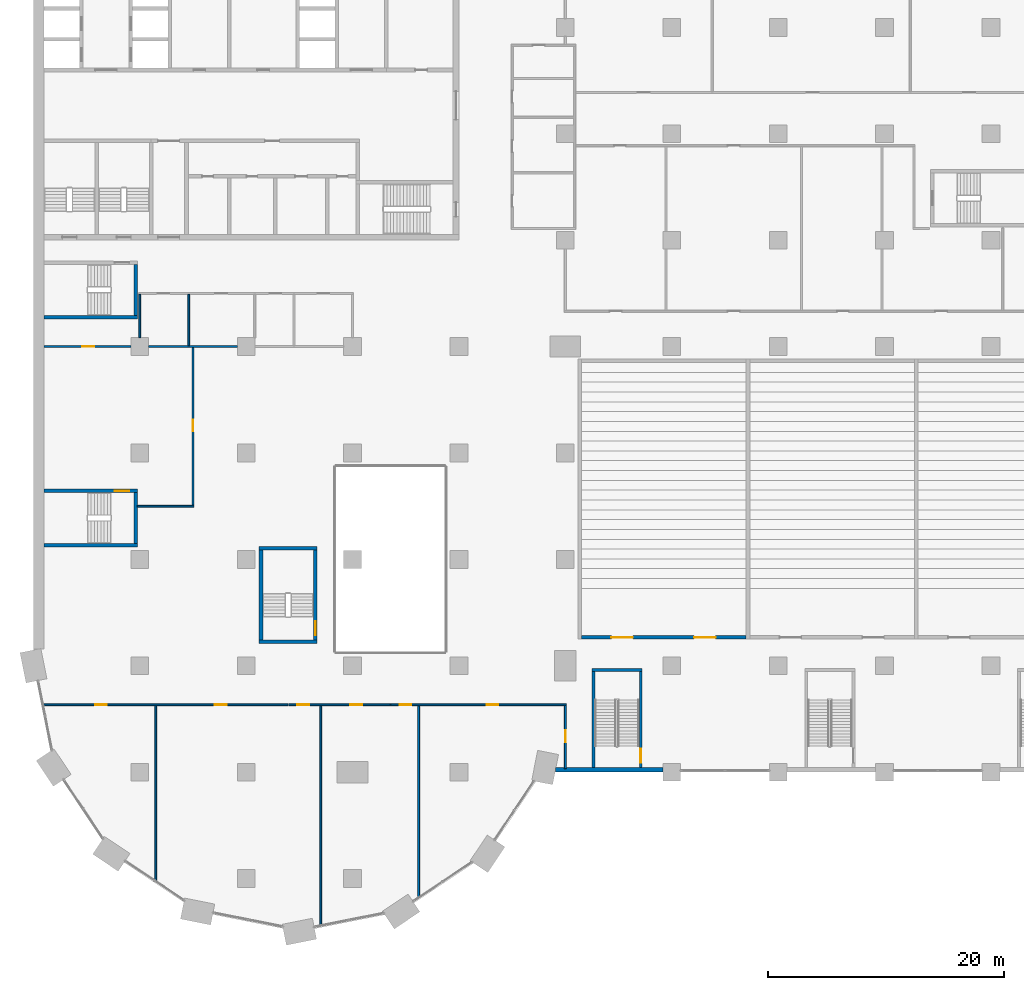
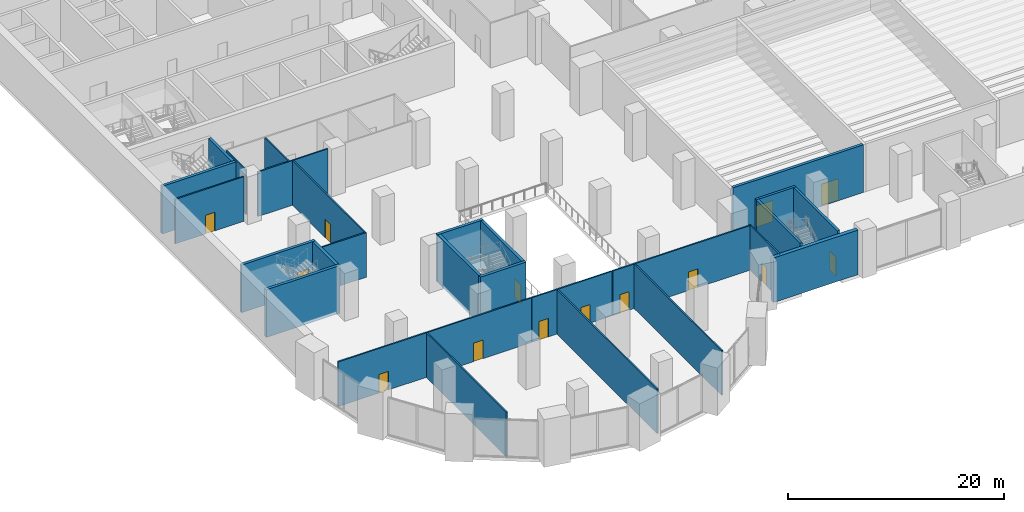
# One storey, part 15 of 44: 27 walls, 14 doors, 14 openings.
"""IFC4 building model written with IfcOpenShell, lengths in metres."""

from ifc_helpers import new_model, si_unit, direction, frame, frame_2d, origin, place, context, subcontext, project, spatial, rectangle, extrude, material, layer, layer_set, type_object, element, fill, save


model = new_model("IFC4")

# Units and contexts
model_context = context("Model", 3, precision=1e-05, world=origin(), true_north=direction((0.0, 1.0)))
body_context = subcontext(model_context, "Body", "Model", "MODEL_VIEW")
ifc_project = project(units=[si_unit("LENGTHUNIT", "METRE"), si_unit("AREAUNIT", "SQUARE_METRE"), si_unit("VOLUMEUNIT", "CUBIC_METRE"), si_unit("PLANEANGLEUNIT", "RADIAN"), si_unit("MASSUNIT", "GRAM", prefix="KILO")], contexts=[model_context])

# Site, building, storey
site_placement = place(None, origin())
site = spatial("IfcSite", under=ifc_project, at=site_placement, CompositionType="ELEMENT")
building_placement = place(site_placement, origin())
building = spatial("IfcBuilding", under=site, at=building_placement, Name="Hunhe Ridgeline Campus", CompositionType="ELEMENT")
storey_placement = place(building_placement, frame((0.0, 0.0, 6.0)))
storey = spatial("IfcBuildingStorey", under=building, at=storey_placement, Name="L01", CompositionType="ELEMENT", Elevation=6.0)

# Wall
ifc_material_1 = material(Name="Plastered blockwork", Category="masonry")
ifc_layer_1 = layer(ifc_material_1, 0.14990234375)
ifc_layer_set_1 = layer_set([ifc_layer_1], Name="Blockwork partition 150")
wall_type_1 = type_object("IfcWallType", Name="Blockwork partition 150", PredefinedType="PARTITIONING", material=ifc_layer_set_1)
wall_1_placement = place(storey_placement, frame((10.344970703125, 8.822021484375, 0.0), z_axis=(0.0, 0.0, 1.0), x_axis=(0.0, 1.0, 0.0)))
element("IfcWall", 1, at=wall_1_placement, inside=storey, type_object=wall_type_1, Name="L01 partition", PredefinedType="PARTITIONING", context=body_context, shape_type="SweptSolid", body=[
    extrude(rectangle(XDim=14.802978515625, YDim=0.14990234375, at=frame_2d((7.4013671875, 0.0))), origin(), (0.0, 0.0, 1.0), 5.050048828125),
])

# Wall, openings, doors
wall_2_placement = place(storey_placement, frame((0.842041015625, 23.699951171875, 0.0), z_axis=(0.0, 0.0, 1.0), x_axis=(1.0, 0.0, 0.0)))
wall_2 = element("IfcWall", 2, at=wall_2_placement, inside=storey, type_object=wall_type_1, Name="L01 partition", PredefinedType="PARTITIONING", context=body_context, shape_type="SweptSolid", body=[
    extrude(rectangle(XDim=20.677978515625, YDim=0.14990234375, at=frame_2d((10.3388671875, 0.0))), origin(), (0.0, 0.0, 1.0), 5.050048828125),
])
opening_1_placement = place(wall_2_placement, frame((4.3701171875, 0.0, 0.0)))
opening_1 = element("IfcOpeningElement", 3, at=opening_1_placement, cuts=wall_2, Name="Opening PD210", PredefinedType="OPENING", context=body_context, shape_type="SweptSolid", body=[
    extrude(rectangle(XDim=1.0, YDim=2.10009765625, at=frame_2d((0.5, 1.050048828125))), frame((0.0, 0.074951171875, 0.0), z_axis=(0.0, -1.0, 0.0), x_axis=(1.0, 0.0, 0.0)), (0.0, 0.0, 1.0), 0.14990234375),
])
opening_2_placement = place(wall_2_placement, frame((14.5029296875, 0.0, 0.0)))
opening_2 = element("IfcOpeningElement", 4, at=opening_2_placement, cuts=wall_2, Name="Opening PD211", PredefinedType="OPENING", context=body_context, shape_type="SweptSolid", body=[
    extrude(rectangle(XDim=1.0, YDim=2.10009765625, at=frame_2d((0.5, 1.050048828125))), frame((0.0, 0.074951171875, 0.0), z_axis=(0.0, -1.0, 0.0), x_axis=(1.0, 0.0, 0.0)), (0.0, 0.0, 1.0), 0.14990234375),
])
ifc_material_2 = material(Name="Timber", Category="wood")
door_type_1 = type_object("IfcDoorType", Name="Podium timber door 1000x2100", OperationType="NOTDEFINED", PredefinedType="DOOR", material=ifc_material_2)
door_1_placement = place(opening_1_placement, origin())
door_1 = element("IfcDoor", 5, at=door_1_placement, inside=storey, type_object=door_type_1, Name="Seminar Room 1.01 door", OperationType="SINGLE_SWING_LEFT", OverallHeight=2.10009765625, OverallWidth=1.0, PredefinedType="DOOR", context=body_context, shape_type="SweptSolid", body=[
    extrude(rectangle(XDim=1.0, YDim=2.10009765625, at=frame_2d((0.5, 1.050048828125))), frame((0.0, 0.02490234375, 0.0), z_axis=(0.0, -1.0, 0.0), x_axis=(1.0, 0.0, 0.0)), (0.0, 0.0, 1.0), 0.050048828125),
])
fill(opening_1, door_1)
door_2_placement = place(opening_2_placement, origin())
door_2 = element("IfcDoor", 6, at=door_2_placement, inside=storey, type_object=door_type_1, Name="Seminar Room 1.02 door", OperationType="SINGLE_SWING_RIGHT", OverallHeight=2.10009765625, OverallWidth=1.0, PredefinedType="DOOR", context=body_context, shape_type="SweptSolid", body=[
    extrude(rectangle(XDim=1.0, YDim=2.10009765625, at=frame_2d((0.5, 1.050048828125))), frame((0.0, 0.02490234375, 0.0), z_axis=(0.0, -1.0, 0.0), x_axis=(1.0, 0.0, 0.0)), (0.0, 0.0, 1.0), 0.050048828125),
])
fill(opening_2, door_2)

wall_3_placement = place(storey_placement, frame((21.580078125, 23.699951171875, 0.0), z_axis=(0.0, 0.0, 1.0), x_axis=(1.0, 0.0, 0.0)))
wall_3 = element("IfcWall", 7, at=wall_3_placement, inside=storey, type_object=wall_type_1, Name="L01 partition", PredefinedType="PARTITIONING", context=body_context, shape_type="SweptSolid", body=[
    extrude(rectangle(XDim=8.58984375, YDim=0.14990234375, at=frame_2d((4.294921875, 0.0))), origin(), (0.0, 0.0, 1.0), 5.050048828125),
])
opening_3_placement = place(wall_3_placement, frame((0.75, 0.0, 0.0)))
opening_3 = element("IfcOpeningElement", 8, at=opening_3_placement, cuts=wall_3, Name="Opening PD212", PredefinedType="OPENING", context=body_context, shape_type="SweptSolid", body=[
    extrude(rectangle(XDim=1.0, YDim=2.10009765625, at=frame_2d((0.5, 1.050048828125))), frame((0.0, 0.074951171875, 0.0), z_axis=(0.0, -1.0, 0.0), x_axis=(1.0, 0.0, 0.0)), (0.0, 0.0, 1.0), 0.14990234375),
])
opening_4_placement = place(wall_3_placement, frame((5.22998046875, 0.0, 0.0)))
opening_4 = element("IfcOpeningElement", 9, at=opening_4_placement, cuts=wall_3, Name="Opening PD213", PredefinedType="OPENING", context=body_context, shape_type="SweptSolid", body=[
    extrude(rectangle(XDim=1.0, YDim=2.10009765625, at=frame_2d((0.5, 1.050048828125))), frame((0.0, 0.074951171875, 0.0), z_axis=(0.0, -1.0, 0.0), x_axis=(1.0, 0.0, 0.0)), (0.0, 0.0, 1.0), 0.14990234375),
])
door_3_placement = place(opening_3_placement, origin())
door_3 = element("IfcDoor", 10, at=door_3_placement, inside=storey, type_object=door_type_1, Name="Seminar Room 1.02 door", OperationType="SINGLE_SWING_LEFT", OverallHeight=2.10009765625, OverallWidth=1.0, PredefinedType="DOOR", context=body_context, shape_type="SweptSolid", body=[
    extrude(rectangle(XDim=1.0, YDim=2.10009765625, at=frame_2d((0.5, 1.050048828125))), frame((0.0, 0.02490234375, 0.0), z_axis=(0.0, -1.0, 0.0), x_axis=(1.0, 0.0, 0.0)), (0.0, 0.0, 1.0), 0.050048828125),
])
fill(opening_3, door_3)
door_4_placement = place(opening_4_placement, origin())
door_4 = element("IfcDoor", 11, at=door_4_placement, inside=storey, type_object=door_type_1, Name="Seminar Room 1.03 door", OperationType="SINGLE_SWING_RIGHT", OverallHeight=2.10009765625, OverallWidth=1.0, PredefinedType="DOOR", context=body_context, shape_type="SweptSolid", body=[
    extrude(rectangle(XDim=1.0, YDim=2.10009765625, at=frame_2d((0.5, 1.050048828125))), frame((0.0, 0.02490234375, 0.0), z_axis=(0.0, -1.0, 0.0), x_axis=(1.0, 0.0, 0.0)), (0.0, 0.0, 1.0), 0.050048828125),
])
fill(opening_4, door_4)

wall_4_placement = place(storey_placement, frame((30.22998046875, 23.699951171875, 0.0), z_axis=(0.0, 0.0, 1.0), x_axis=(1.0, 0.0, 0.0)))
wall_4 = element("IfcWall", 12, at=wall_4_placement, inside=storey, type_object=wall_type_1, Name="L01 partition", PredefinedType="PARTITIONING", context=body_context, shape_type="SweptSolid", body=[
    extrude(rectangle(XDim=14.844970703125, YDim=0.14990234375, at=frame_2d((7.42236328125, 0.0))), origin(), (0.0, 0.0, 1.0), 5.050048828125),
])
opening_5_placement = place(wall_4_placement, frame((0.75, 0.0, 0.0)))
opening_5 = element("IfcOpeningElement", 13, at=opening_5_placement, cuts=wall_4, Name="Opening PD214", PredefinedType="OPENING", context=body_context, shape_type="SweptSolid", body=[
    extrude(rectangle(XDim=1.0, YDim=2.10009765625, at=frame_2d((0.5, 1.050048828125))), frame((0.0, 0.074951171875, 0.0), z_axis=(0.0, -1.0, 0.0), x_axis=(1.0, 0.0, 0.0)), (0.0, 0.0, 1.0), 0.14990234375),
])
opening_6_placement = place(wall_4_placement, frame((8.10595703125, 0.0, 0.0)))
opening_6 = element("IfcOpeningElement", 14, at=opening_6_placement, cuts=wall_4, Name="Opening PD215", PredefinedType="OPENING", context=body_context, shape_type="SweptSolid", body=[
    extrude(rectangle(XDim=1.0, YDim=2.10009765625, at=frame_2d((0.5, 1.050048828125))), frame((0.0, 0.074951171875, 0.0), z_axis=(0.0, -1.0, 0.0), x_axis=(1.0, 0.0, 0.0)), (0.0, 0.0, 1.0), 0.14990234375),
])
door_5_placement = place(opening_5_placement, origin())
door_5 = element("IfcDoor", 15, at=door_5_placement, inside=storey, type_object=door_type_1, Name="Seminar Room 1.03 door", OperationType="SINGLE_SWING_LEFT", OverallHeight=2.10009765625, OverallWidth=1.0, PredefinedType="DOOR", context=body_context, shape_type="SweptSolid", body=[
    extrude(rectangle(XDim=1.0, YDim=2.10009765625, at=frame_2d((0.5, 1.050048828125))), frame((0.0, 0.02490234375, 0.0), z_axis=(0.0, -1.0, 0.0), x_axis=(1.0, 0.0, 0.0)), (0.0, 0.0, 1.0), 0.050048828125),
])
fill(opening_5, door_5)
door_6_placement = place(opening_6_placement, origin())
door_6 = element("IfcDoor", 16, at=door_6_placement, inside=storey, type_object=door_type_1, Name="Seminar Room 1.04 door", OperationType="SINGLE_SWING_RIGHT", OverallHeight=2.10009765625, OverallWidth=1.0, PredefinedType="DOOR", context=body_context, shape_type="SweptSolid", body=[
    extrude(rectangle(XDim=1.0, YDim=2.10009765625, at=frame_2d((0.5, 1.050048828125))), frame((0.0, 0.02490234375, 0.0), z_axis=(0.0, -1.0, 0.0), x_axis=(1.0, 0.0, 0.0)), (0.0, 0.0, 1.0), 0.050048828125),
])
fill(opening_6, door_6)

# Walls
wall_5_placement = place(storey_placement, frame((24.31005859375, 5.0458984375, 0.0), z_axis=(0.0, 0.0, 1.0), x_axis=(0.0, 1.0, 0.0)))
element("IfcWall", 17, at=wall_5_placement, inside=storey, type_object=wall_type_1, Name="L01 partition", PredefinedType="PARTITIONING", context=body_context, shape_type="SweptSolid", body=[
    extrude(rectangle(XDim=18.5791015625, YDim=0.14990234375, at=frame_2d((9.28955078125, 0.0))), origin(), (0.0, 0.0, 1.0), 5.050048828125),
])
wall_6_placement = place(storey_placement, frame((32.5859375, 7.43994140625, 0.0), z_axis=(0.0, 0.0, 1.0), x_axis=(0.0, 1.0, 0.0)))
element("IfcWall", 18, at=wall_6_placement, inside=storey, type_object=wall_type_1, Name="L01 partition", PredefinedType="PARTITIONING", context=body_context, shape_type="SweptSolid", body=[
    extrude(rectangle(XDim=16.18505859375, YDim=0.14990234375, at=frame_2d((8.092529296875, 0.0))), origin(), (0.0, 0.0, 1.0), 5.050048828125),
])

# Wall, opening, door
wall_7_placement = place(storey_placement, frame((45.0, 23.625, 0.0), z_axis=(0.0, 0.0, 1.0), x_axis=(0.0, -1.0, 0.0)))
wall_7 = element("IfcWall", 19, at=wall_7_placement, inside=storey, type_object=wall_type_1, Name="L01 partition", PredefinedType="PARTITIONING", context=body_context, shape_type="SweptSolid", body=[
    extrude(rectangle(XDim=5.324951171875, YDim=0.14990234375, at=frame_2d((2.66259765625, 0.0))), origin(), (0.0, 0.0, 1.0), 5.050048828125),
])
opening_7_placement = place(wall_7_placement, frame((2.074951171875, 0.0, 0.0)))
opening_7 = element("IfcOpeningElement", 20, at=opening_7_placement, cuts=wall_7, Name="Opening PD216", PredefinedType="OPENING", context=body_context, shape_type="SweptSolid", body=[
    extrude(rectangle(XDim=1.0, YDim=2.10009765625, at=frame_2d((0.5, 1.050048828125))), frame((0.0, 0.074951171875, 0.0), z_axis=(0.0, -1.0, 0.0), x_axis=(1.0, 0.0, 0.0)), (0.0, 0.0, 1.0), 0.14990234375),
])
door_7_placement = place(opening_7_placement, origin())
door_7 = element("IfcDoor", 21, at=door_7_placement, inside=storey, type_object=door_type_1, Name="Seminar Room 1.04 door", OperationType="SINGLE_SWING_LEFT", OverallHeight=2.10009765625, OverallWidth=1.0, PredefinedType="DOOR", context=body_context, shape_type="SweptSolid", body=[
    extrude(rectangle(XDim=1.0, YDim=2.10009765625, at=frame_2d((0.5, 1.050048828125))), frame((0.0, 0.02490234375, 0.0), z_axis=(0.0, -1.0, 0.0), x_axis=(1.0, 0.0, 0.0)), (0.0, 0.0, 1.0), 0.050048828125),
])
fill(opening_7, door_7)

wall_8_placement = place(storey_placement, frame((0.89990234375, 54.0, 0.0), z_axis=(0.0, 0.0, 1.0), x_axis=(1.0, 0.0, 0.0)))
wall_8 = element("IfcWall", 22, at=wall_8_placement, inside=storey, type_object=wall_type_1, Name="L01 partition", PredefinedType="PARTITIONING", context=body_context, shape_type="SweptSolid", body=[
    extrude(rectangle(XDim=7.35009765625, YDim=0.14990234375, at=frame_2d((3.675048828125, 0.0))), origin(), (0.0, 0.0, 1.0), 5.050048828125),
])
opening_8_placement = place(wall_8_placement, frame((3.25, 0.0, 0.0)))
opening_8 = element("IfcOpeningElement", 23, at=opening_8_placement, cuts=wall_8, Name="Opening PD218", PredefinedType="OPENING", context=body_context, shape_type="SweptSolid", body=[
    extrude(rectangle(XDim=1.0, YDim=2.10009765625, at=frame_2d((0.5, 1.050048828125))), frame((0.0, 0.074951171875, 0.0), z_axis=(0.0, -1.0, 0.0), x_axis=(1.0, 0.0, 0.0)), (0.0, 0.0, 1.0), 0.14990234375),
])
door_8_placement = place(opening_8_placement, origin())
door_8 = element("IfcDoor", 24, at=door_8_placement, inside=storey, type_object=door_type_1, Name="Staff Common Room door", OperationType="SINGLE_SWING_RIGHT", OverallHeight=2.10009765625, OverallWidth=1.0, PredefinedType="DOOR", context=body_context, shape_type="SweptSolid", body=[
    extrude(rectangle(XDim=1.0, YDim=2.10009765625, at=frame_2d((0.5, 1.050048828125))), frame((0.0, 0.02490234375, 0.0), z_axis=(0.0, -1.0, 0.0), x_axis=(1.0, 0.0, 0.0)), (0.0, 0.0, 1.0), 0.050048828125),
])
fill(opening_8, door_8)

# Wall
wall_9_placement = place(storey_placement, frame((9.75, 54.0, 0.0), z_axis=(0.0, 0.0, 1.0), x_axis=(1.0, 0.0, 0.0)))
element("IfcWall", 25, at=wall_9_placement, inside=storey, type_object=wall_type_1, Name="L01 partition", PredefinedType="PARTITIONING", context=body_context, shape_type="SweptSolid", body=[
    extrude(rectangle(XDim=7.5, YDim=0.14990234375, at=frame_2d((3.75, 0.0))), origin(), (0.0, 0.0, 1.0), 5.050048828125),
])

# Wall, opening, door
wall_10_placement = place(storey_placement, frame((13.5, 53.925048828125, 0.0), z_axis=(0.0, 0.0, 1.0), x_axis=(0.0, -1.0, 0.0)))
wall_10 = element("IfcWall", 26, at=wall_10_placement, inside=storey, type_object=wall_type_1, Name="L01 partition", PredefinedType="PARTITIONING", context=body_context, shape_type="SweptSolid", body=[
    extrude(rectangle(XDim=13.35009765625, YDim=0.14990234375, at=frame_2d((6.675048828125, 0.0))), origin(), (0.0, 0.0, 1.0), 5.050048828125),
])
opening_9_placement = place(wall_10_placement, frame((6.10009765625, 0.0, 0.0)))
opening_9 = element("IfcOpeningElement", 27, at=opening_9_placement, cuts=wall_10, Name="Opening PD217", PredefinedType="OPENING", context=body_context, shape_type="SweptSolid", body=[
    extrude(rectangle(XDim=1.0, YDim=2.10009765625, at=frame_2d((0.5, 1.050048828125))), frame((0.0, 0.074951171875, 0.0), z_axis=(0.0, -1.0, 0.0), x_axis=(1.0, 0.0, 0.0)), (0.0, 0.0, 1.0), 0.14990234375),
])
door_9_placement = place(opening_9_placement, origin())
door_9 = element("IfcDoor", 28, at=door_9_placement, inside=storey, type_object=door_type_1, Name="Staff Common Room door", OperationType="SINGLE_SWING_LEFT", OverallHeight=2.10009765625, OverallWidth=1.0, PredefinedType="DOOR", context=body_context, shape_type="SweptSolid", body=[
    extrude(rectangle(XDim=1.0, YDim=2.10009765625, at=frame_2d((0.5, 1.050048828125))), frame((0.0, 0.02490234375, 0.0), z_axis=(0.0, -1.0, 0.0), x_axis=(1.0, 0.0, 0.0)), (0.0, 0.0, 1.0), 0.050048828125),
])
fill(opening_9, door_9)

# Walls
wall_11_placement = place(storey_placement, frame((13.574951171875, 40.5, 0.0), z_axis=(0.0, 0.0, 1.0), x_axis=(-1.0, 0.0, 0.0)))
element("IfcWall", 29, at=wall_11_placement, inside=storey, type_object=wall_type_1, Name="L01 partition", PredefinedType="PARTITIONING", context=body_context, shape_type="SweptSolid", body=[
    extrude(rectangle(XDim=4.77490234375, YDim=0.14990234375, at=frame_2d((2.387451171875, 0.0))), origin(), (0.0, 0.0, 1.0), 5.050048828125),
])
wall_12_placement = place(storey_placement, frame((13.137939453125, 54.074951171875, 0.0), z_axis=(0.0, 0.0, 1.0), x_axis=(0.0, 1.0, 0.0)))
element("IfcWall", 30, at=wall_12_placement, inside=storey, type_object=wall_type_1, Name="L01 partition", PredefinedType="PARTITIONING", context=body_context, shape_type="SweptSolid", body=[
    extrude(rectangle(XDim=4.35009765625, YDim=0.14990234375, at=frame_2d((2.175048828125, 0.0))), origin(), (0.0, 0.0, 1.0), 5.050048828125),
])
wall_13_placement = place(storey_placement, frame((9.0, 54.75, 0.0), z_axis=(0.0, 0.0, 1.0), x_axis=(0.0, 1.0, 0.0)))
element("IfcWall", 31, at=wall_13_placement, inside=storey, type_object=wall_type_1, Name="L01 partition", PredefinedType="PARTITIONING", context=body_context, shape_type="SweptSolid", body=[
    extrude(rectangle(XDim=3.675048828125, YDim=0.14990234375, at=frame_2d((1.83740234375, 0.0))), origin(), (0.0, 0.0, 1.0), 5.050048828125),
])

# Wall, openings, doors
ifc_material_3 = material(Name="Concrete C40", Category="concrete")
ifc_layer_2 = layer(ifc_material_3, 0.300048828125)
ifc_layer_set_2 = layer_set([ifc_layer_2], Name="Lecture hall wall 300 C40")
wall_type_2 = type_object("IfcWallType", Name="Lecture hall wall 300 C40", PredefinedType="SOLIDWALL", material=ifc_layer_set_2)
wall_14_placement = place(storey_placement, frame((60.300048828125, 29.39990234375, 0.0), z_axis=(0.0, 0.0, 1.0), x_axis=(-1.0, 0.0, 0.0)))
wall_14 = element("IfcWall", 32, at=wall_14_placement, inside=storey, type_object=wall_type_2, Name="L01 lecture hall wall", PredefinedType="SOLIDWALL", context=body_context, shape_type="SweptSolid", body=[
    extrude(rectangle(XDim=13.949951171875, YDim=0.300048828125, at=frame_2d((6.97509765625, 0.0))), origin(), (0.0, 0.0, 1.0), 5.39990234375),
])
opening_10_placement = place(wall_14_placement, frame((2.60009765625, 0.0, 0.0)))
opening_10 = element("IfcOpeningElement", 33, at=opening_10_placement, cuts=wall_14, Name="Opening PD204", PredefinedType="OPENING", context=body_context, shape_type="SweptSolid", body=[
    extrude(rectangle(XDim=1.800048828125, YDim=2.39990234375, at=frame_2d((0.89990234375, 1.199951171875))), frame((0.0, 0.14990234375, 0.0), z_axis=(0.0, -1.0, 0.0), x_axis=(1.0, 0.0, 0.0)), (0.0, 0.0, 1.0), 0.300048828125),
])
opening_11_placement = place(wall_14_placement, frame((9.60009765625, 0.0, 0.0)))
opening_11 = element("IfcOpeningElement", 34, at=opening_11_placement, cuts=wall_14, Name="Opening PD205", PredefinedType="OPENING", context=body_context, shape_type="SweptSolid", body=[
    extrude(rectangle(XDim=1.800048828125, YDim=2.39990234375, at=frame_2d((0.89990234375, 1.199951171875))), frame((0.0, 0.14990234375, 0.0), z_axis=(0.0, -1.0, 0.0), x_axis=(1.0, 0.0, 0.0)), (0.0, 0.0, 1.0), 0.300048828125),
])
door_type_2 = type_object("IfcDoorType", Name="Podium lecture hall double door 1800x2400", OperationType="NOTDEFINED", PredefinedType="DOOR", material=ifc_material_2)
door_10_placement = place(opening_10_placement, origin())
door_10 = element("IfcDoor", 35, at=door_10_placement, inside=storey, type_object=door_type_2, Name="Lecture Hall A front door", OperationType="DOUBLE_DOOR_SINGLE_SWING", OverallHeight=2.39990234375, OverallWidth=1.800048828125, PredefinedType="DOOR", context=body_context, shape_type="SweptSolid", body=[
    extrude(rectangle(XDim=1.800048828125, YDim=2.39990234375, at=frame_2d((0.89990234375, 1.199951171875))), frame((0.0, 0.02490234375, 0.0), z_axis=(0.0, -1.0, 0.0), x_axis=(1.0, 0.0, 0.0)), (0.0, 0.0, 1.0), 0.050048828125),
])
fill(opening_10, door_10)
door_11_placement = place(opening_11_placement, origin())
door_11 = element("IfcDoor", 36, at=door_11_placement, inside=storey, type_object=door_type_2, Name="Lecture Hall A front door", OperationType="DOUBLE_DOOR_SINGLE_SWING", OverallHeight=2.39990234375, OverallWidth=1.800048828125, PredefinedType="DOOR", context=body_context, shape_type="SweptSolid", body=[
    extrude(rectangle(XDim=1.800048828125, YDim=2.39990234375, at=frame_2d((0.89990234375, 1.199951171875))), frame((0.0, 0.02490234375, 0.0), z_axis=(0.0, -1.0, 0.0), x_axis=(1.0, 0.0, 0.0)), (0.0, 0.0, 1.0), 0.050048828125),
])
fill(opening_11, door_11)

# Walls
ifc_layer_3 = layer(ifc_material_3, 0.39990234375)
ifc_layer_set_3 = layer_set([ifc_layer_3], Name="Stair shaft facade wall 400 C40")
wall_type_3 = type_object("IfcWallType", Name="Stair shaft facade wall 400 C40", PredefinedType="SOLIDWALL", material=ifc_layer_set_3)
wall_15_placement = place(storey_placement, frame((53.25, 18.199951171875, 0.0), z_axis=(0.0, 0.0, 1.0), x_axis=(-1.0, 0.0, 0.0)))
element("IfcWall", 37, at=wall_15_placement, inside=storey, type_object=wall_type_3, Name="L01 stair facade wall", PredefinedType="SOLIDWALL", context=body_context, shape_type="SweptSolid", body=[
    extrude(rectangle(XDim=9.0927734375, YDim=0.39990234375, at=frame_2d((4.54638671875, 0.0))), origin(), (0.0, 0.0, 1.0), 5.050048828125),
])
ifc_layer_4 = layer(ifc_material_3, 0.25)
ifc_layer_set_4 = layer_set([ifc_layer_4], Name="Stair shaft wall 250 C40")
wall_type_4 = type_object("IfcWallType", Name="Stair shaft wall 250 C40", PredefinedType="SOLIDWALL", material=ifc_layer_set_4)
wall_16_placement = place(storey_placement, frame((47.375, 18.39990234375, 0.0), z_axis=(0.0, 0.0, 1.0), x_axis=(0.0, 1.0, 0.0)))
element("IfcWall", 38, at=wall_16_placement, inside=storey, type_object=wall_type_4, Name="L01 PS1 shaft wall", PredefinedType="SOLIDWALL", context=body_context, shape_type="SweptSolid", body=[
    extrude(rectangle(XDim=8.10009765625, YDim=0.25, at=frame_2d((4.050048828125, 0.0))), origin(), (0.0, 0.0, 1.0), 5.39990234375),
])

# Wall, opening, door
wall_17_placement = place(storey_placement, frame((51.375, 26.5, 0.0), z_axis=(0.0, 0.0, 1.0), x_axis=(0.0, -1.0, 0.0)))
wall_17 = element("IfcWall", 39, at=wall_17_placement, inside=storey, type_object=wall_type_4, Name="L01 PS1 shaft wall", PredefinedType="SOLIDWALL", context=body_context, shape_type="SweptSolid", body=[
    extrude(rectangle(XDim=8.10009765625, YDim=0.25, at=frame_2d((4.050048828125, 0.0))), origin(), (0.0, 0.0, 1.0), 5.39990234375),
])
opening_12_placement = place(wall_17_placement, frame((6.5, 0.0, 0.0)))
opening_12 = element("IfcOpeningElement", 40, at=opening_12_placement, cuts=wall_17, Name="Opening PD201", PredefinedType="OPENING", context=body_context, shape_type="SweptSolid", body=[
    extrude(rectangle(XDim=1.199951171875, YDim=2.10009765625, at=frame_2d((0.60009765625, 1.050048828125))), frame((0.0, 0.125, 0.0), z_axis=(0.0, -1.0, 0.0), x_axis=(1.0, 0.0, 0.0)), (0.0, 0.0, 1.0), 0.25),
])
ifc_material_4 = material(Name="Steel Q235", Category="steel")
door_type_3 = type_object("IfcDoorType", Name="Podium fire door 1200x2100 FD60", OperationType="NOTDEFINED", PredefinedType="DOOR", material=ifc_material_4)
door_12_placement = place(opening_12_placement, origin())
door_12 = element("IfcDoor", 41, at=door_12_placement, inside=storey, type_object=door_type_3, Name="Stair door PS1", OperationType="SINGLE_SWING_LEFT", OverallHeight=2.10009765625, OverallWidth=1.199951171875, PredefinedType="DOOR", context=body_context, shape_type="SweptSolid", body=[
    extrude(rectangle(XDim=1.199951171875, YDim=2.10009765625, at=frame_2d((0.60009765625, 1.050048828125))), frame((0.0, 0.02490234375, 0.0), z_axis=(0.0, -1.0, 0.0), x_axis=(1.0, 0.0, 0.0)), (0.0, 0.0, 1.0), 0.050048828125),
])
fill(opening_12, door_12)

# Walls
wall_18_placement = place(storey_placement, frame((47.25, 26.625, 0.0), z_axis=(0.0, 0.0, 1.0), x_axis=(1.0, 0.0, 0.0)))
element("IfcWall", 42, at=wall_18_placement, inside=storey, type_object=wall_type_4, Name="L01 PS1 shaft wall", PredefinedType="SOLIDWALL", context=body_context, shape_type="SweptSolid", body=[
    extrude(rectangle(XDim=4.25, YDim=0.25, at=frame_2d((2.125, 0.0))), origin(), (0.0, 0.0, 1.0), 5.39990234375),
])
ifc_material_5 = material(Name="Concrete C80", Category="concrete")
ifc_layer_5 = layer(ifc_material_5, 0.300048828125)
ifc_layer_set_5 = layer_set([ifc_layer_5], Name="Stair wall 300 reinforced concrete C80")
wall_type_5 = type_object("IfcWallType", Name="Stair wall 300 reinforced concrete C80", PredefinedType="SOLIDWALL", material=ifc_layer_set_5)
for number, where, z_axis, x_axis, name in (
    (43, (19.10009765625, 29.050048828125, -0.35009765625), (0.0, 0.0, 1.0), (1.0, 0.0, 0.0), "L01 core wall 1"),
    (44, (19.10009765625, 36.949951171875, -0.35009765625), (0.0, 0.0, 1.0), (1.0, 0.0, 0.0), "L01 core wall 2"),
):
    element("IfcWall", number, at=place(storey_placement, frame(where, z_axis=z_axis, x_axis=x_axis)), inside=storey, type_object=wall_type_5, Name=name, PredefinedType="SOLIDWALL", context=body_context, shape_type="SweptSolid", body=[
        extrude(rectangle(XDim=4.89990234375, YDim=0.300048828125, at=frame_2d((2.449951171875, 0.0))), origin(), (0.0, 0.0, 1.0), 5.400146484375),
    ])
wall_19_placement = place(storey_placement, frame((0.89990234375, 37.199951171875, -0.35009765625), z_axis=(0.0, 0.0, 1.0), x_axis=(1.0, 0.0, 0.0)))
element("IfcWall", 45, at=wall_19_placement, inside=storey, type_object=wall_type_5, Name="L01 core wall 3", PredefinedType="SOLIDWALL", context=body_context, shape_type="SweptSolid", body=[
    extrude(rectangle(XDim=7.900146484375, YDim=0.300048828125, at=frame_2d((3.9501953125, 0.0))), origin(), (0.0, 0.0, 1.0), 5.400146484375),
])

# Wall, opening, door
wall_20_placement = place(storey_placement, frame((0.89990234375, 41.800048828125, -0.35009765625), z_axis=(0.0, 0.0, 1.0), x_axis=(1.0, 0.0, 0.0)))
wall_20 = element("IfcWall", 46, at=wall_20_placement, inside=storey, type_object=wall_type_5, Name="L01 core wall 4", PredefinedType="SOLIDWALL", context=body_context, shape_type="SweptSolid", body=[
    extrude(rectangle(XDim=7.900146484375, YDim=0.300048828125, at=frame_2d((3.9501953125, 0.0))), origin(), (0.0, 0.0, 1.0), 5.400146484375),
])
opening_13_placement = place(wall_20_placement, frame((6.0, 0.0, 0.35009765625)))
opening_13 = element("IfcOpeningElement", 47, at=opening_13_placement, cuts=wall_20, Name="Opening CD21", PredefinedType="OPENING", context=body_context, shape_type="SweptSolid", body=[
    extrude(rectangle(XDim=1.199951171875, YDim=2.10009765625, at=frame_2d((0.60009765625, 1.050048828125))), frame((0.0, 0.14990234375, 0.0), z_axis=(0.0, -1.0, 0.0), x_axis=(1.0, 0.0, 0.0)), (0.0, 0.0, 1.0), 0.300048828125),
])
ifc_material_6 = material(Name="Hollow metal fire door leaf")
door_type_4 = type_object("IfcDoorType", Name="Stair door 1200x2100 FD60", OperationType="SINGLE_SWING_LEFT", PredefinedType="DOOR", material=ifc_material_6)
door_13_placement = place(opening_13_placement, origin())
door_13 = element("IfcDoor", 48, at=door_13_placement, inside=storey, type_object=door_type_4, Name="L01 door W1", OperationType="SINGLE_SWING_LEFT", OverallHeight=2.10009765625, OverallWidth=1.199951171875, PredefinedType="DOOR", context=body_context, shape_type="SweptSolid", body=[
    extrude(rectangle(XDim=1.199951171875, YDim=2.10009765625, at=frame_2d((0.60009765625, 1.050048828125))), frame((0.0, 0.02490234375, 0.0), z_axis=(0.0, -1.0, 0.0), x_axis=(1.0, 0.0, 0.0)), (0.0, 0.0, 1.0), 0.050048828125),
])
fill(opening_13, door_13)

# Walls
wall_21_placement = place(storey_placement, frame((0.89990234375, 56.5, -0.35009765625), z_axis=(0.0, 0.0, 1.0), x_axis=(1.0, 0.0, 0.0)))
element("IfcWall", 49, at=wall_21_placement, inside=storey, type_object=wall_type_5, Name="L01 core wall 5", PredefinedType="SOLIDWALL", context=body_context, shape_type="SweptSolid", body=[
    extrude(rectangle(XDim=7.900146484375, YDim=0.300048828125, at=frame_2d((3.9501953125, 0.0))), origin(), (0.0, 0.0, 1.0), 5.400146484375),
])
wall_22_placement = place(storey_placement, frame((8.64990234375, 37.35009765625, -0.35009765625), z_axis=(0.0, 0.0, 1.0), x_axis=(0.0, 1.0, 0.0)))
element("IfcWall", 50, at=wall_22_placement, inside=storey, type_object=wall_type_5, Name="L01 core wall 41", PredefinedType="SOLIDWALL", context=body_context, shape_type="SweptSolid", body=[
    extrude(rectangle(XDim=4.2998046875, YDim=0.300048828125, at=frame_2d((2.14990234375, 0.0))), origin(), (0.0, 0.0, 1.0), 5.400146484375),
])
wall_23_placement = place(storey_placement, frame((8.64990234375, 56.64990234375, -0.35009765625), z_axis=(0.0, 0.0, 1.0), x_axis=(0.0, 1.0, 0.0)))
element("IfcWall", 51, at=wall_23_placement, inside=storey, type_object=wall_type_5, Name="L01 core wall 42", PredefinedType="SOLIDWALL", context=body_context, shape_type="SweptSolid", body=[
    extrude(rectangle(XDim=4.300048828125, YDim=0.300048828125, at=frame_2d((2.14990234375, 0.0))), origin(), (0.0, 0.0, 1.0), 5.400146484375),
])
wall_24_placement = place(storey_placement, frame((19.25, 29.199951171875, -0.35009765625), z_axis=(0.0, 0.0, 1.0), x_axis=(0.0, 1.0, 0.0)))
element("IfcWall", 52, at=wall_24_placement, inside=storey, type_object=wall_type_5, Name="L01 core wall 51", PredefinedType="SOLIDWALL", context=body_context, shape_type="SweptSolid", body=[
    extrude(rectangle(XDim=7.60009765625, YDim=0.300048828125, at=frame_2d((3.800048828125, 0.0))), origin(), (0.0, 0.0, 1.0), 5.400146484375),
])

# Wall, opening, door
wall_25_placement = place(storey_placement, frame((23.85009765625, 29.199951171875, -0.35009765625), z_axis=(0.0, 0.0, 1.0), x_axis=(0.0, 1.0, 0.0)))
wall_25 = element("IfcWall", 53, at=wall_25_placement, inside=storey, type_object=wall_type_5, Name="L01 core wall 56", PredefinedType="SOLIDWALL", context=body_context, shape_type="SweptSolid", body=[
    extrude(rectangle(XDim=7.60009765625, YDim=0.300048828125, at=frame_2d((3.800048828125, 0.0))), origin(), (0.0, 0.0, 1.0), 5.400146484375),
])
opening_14_placement = place(wall_25_placement, frame((0.375, 0.0, 0.35009765625)))
opening_14 = element("IfcOpeningElement", 54, at=opening_14_placement, cuts=wall_25, Name="Opening CD23", PredefinedType="OPENING", context=body_context, shape_type="SweptSolid", body=[
    extrude(rectangle(XDim=1.199951171875, YDim=2.10009765625, at=frame_2d((0.60009765625, 1.050048828125))), frame((0.0, 0.14990234375, 0.0), z_axis=(0.0, -1.0, 0.0), x_axis=(1.0, 0.0, 0.0)), (0.0, 0.0, 1.0), 0.300048828125),
])
door_14_placement = place(opening_14_placement, frame((1.199951171875, 0.0, 0.0), z_axis=(0.0, 0.0, 1.0), x_axis=(-1.0, 0.0, 0.0)))
door_14 = element("IfcDoor", 55, at=door_14_placement, inside=storey, type_object=door_type_4, Name="L01 door W3", OperationType="SINGLE_SWING_RIGHT", OverallHeight=2.10009765625, OverallWidth=1.199951171875, PredefinedType="DOOR", context=body_context, shape_type="SweptSolid", body=[
    extrude(rectangle(XDim=1.199951171875, YDim=2.10009765625, at=frame_2d((0.60009765625, 1.050048828125))), frame((0.0, 0.02490234375, 0.0), z_axis=(0.0, -1.0, 0.0), x_axis=(1.0, 0.0, 0.0)), (0.0, 0.0, 1.0), 0.050048828125),
])
fill(opening_14, door_14)

save(model, "model.ifc")
